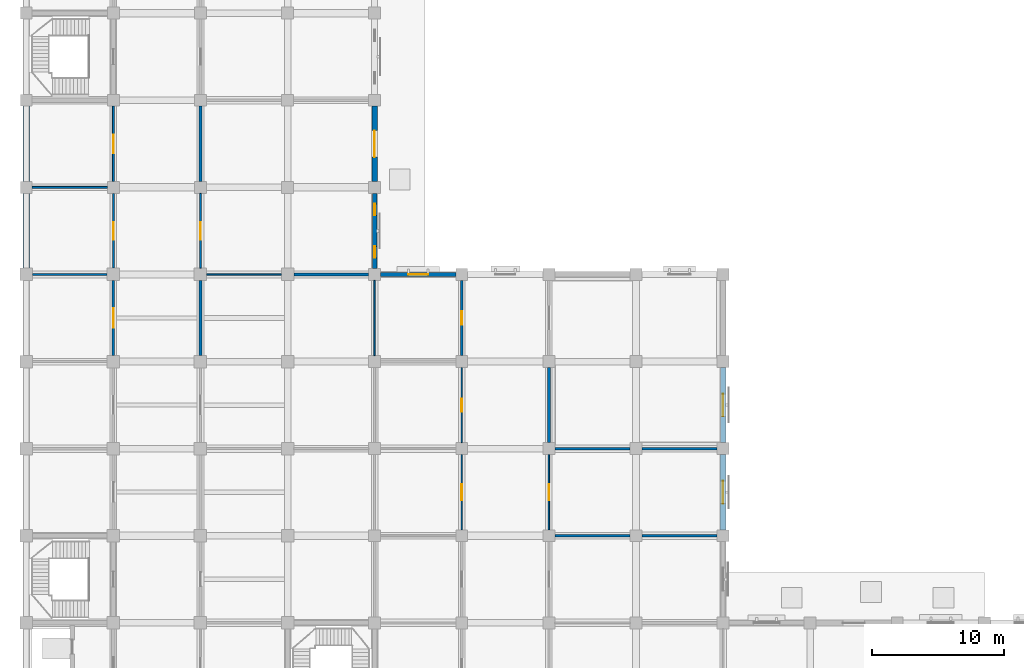
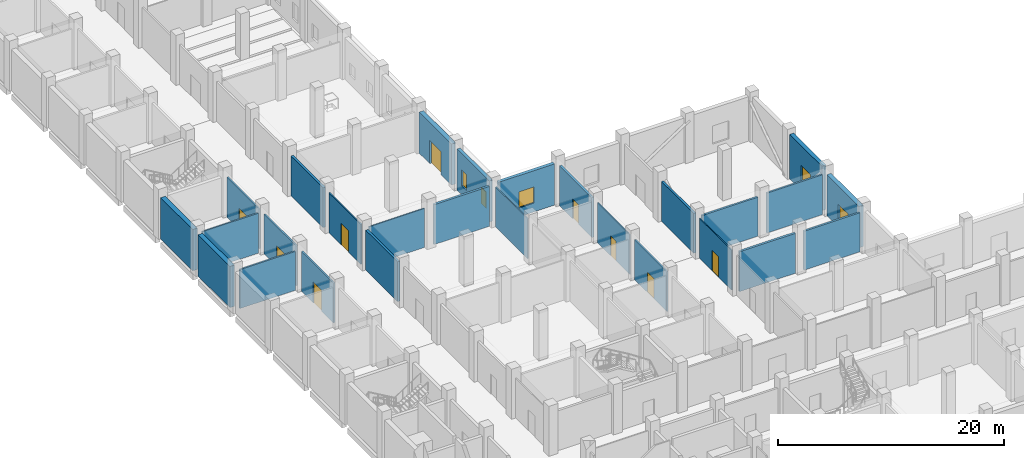
# One storey, part 11 of 28: 27 walls, 9 doors, 5 windows, 14 openings.
"""IFC4 building model written with IfcOpenShell, lengths in metres."""

from ifc_helpers import new_model, si_unit, direction, frame, frame_2d, origin, place, context, subcontext, project, spatial, rectangle, extrude, material, layer, layer_set, type_object, element, fill, save


model = new_model("IFC4")

# Units and contexts
model_context = context("Model", 3, precision=1e-05, world=origin(), true_north=direction((0.0, 1.0)))
body_context = subcontext(model_context, "Body", "Model", "MODEL_VIEW")
ifc_project = project(units=[si_unit("LENGTHUNIT", "METRE"), si_unit("AREAUNIT", "SQUARE_METRE"), si_unit("VOLUMEUNIT", "CUBIC_METRE"), si_unit("PLANEANGLEUNIT", "RADIAN"), si_unit("MASSUNIT", "GRAM", prefix="KILO")], contexts=[model_context])

# Site, building, storey
site_placement = place(None, origin())
site = spatial("IfcSite", under=ifc_project, at=site_placement, CompositionType="ELEMENT")
building_placement = place(site_placement, origin())
building = spatial("IfcBuilding", under=site, at=building_placement, Name="Rusizi Kubbe Research Institute", CompositionType="ELEMENT")
storey_placement = place(building_placement, origin())
storey = spatial("IfcBuildingStorey", under=building, at=storey_placement, Name="L00", CompositionType="ELEMENT", Elevation=0.0)

# Wall, opening, door
ifc_material_1 = material(Name="Volcanic Basalt Ashlar Masonry", Category="masonry")
ifc_layer_1 = layer(ifc_material_1, 0.43994140625)
ifc_layer_set_1 = layer_set([ifc_layer_1], Name="Volcanic Basalt Ashlar Masonry")
wall_type_1 = type_object("IfcWallType", Name="EW-01", PredefinedType="SOLIDWALL", material=ifc_layer_set_1)
wall_1_placement = place(storey_placement, frame((26.39990234375, 59.85009765625, 0.0), z_axis=(0.0, 0.0, 1.0), x_axis=(0.0, 1.0, 0.0)))
wall_1 = element("IfcWall", 1, at=wall_1_placement, inside=storey, type_object=wall_type_1, Name="Portal Vestibule Infill Wall E6", PredefinedType="SOLIDWALL", context=body_context, shape_type="SweptSolid", body=[
    extrude(rectangle(XDim=5.699951171875, YDim=0.43994140625, at=frame_2d((2.85009765625, 0.0))), origin(), (0.0, 0.0, 1.0), 4.449951171875),
])
opening_1_placement = place(wall_1_placement, frame((1.85009765625, 0.0, 0.0)))
opening_1 = element("IfcOpeningElement", 2, at=opening_1_placement, cuts=wall_1, Name="Opening D-31", PredefinedType="OPENING", context=body_context, shape_type="SweptSolid", body=[
    extrude(rectangle(XDim=2.0, YDim=2.5, at=frame_2d((1.0, 1.25))), frame((0.0, 0.22998046875, 0.0), z_axis=(0.0, -1.0, 0.0), x_axis=(1.0, 0.0, 0.0)), (0.0, 0.0, 1.0), 0.4599609375),
])
ifc_material_2 = material(Name="Insulated Steel and Laminated Safety Glass", Category="steel")
door_type_1 = type_object("IfcDoorType", Name="ED-01", OperationType="DOUBLE_DOOR_SINGLE_SWING", PredefinedType="DOOR", material=ifc_material_2)
door_1_placement = place(opening_1_placement, origin())
door_1 = element("IfcDoor", 3, at=door_1_placement, inside=storey, type_object=door_type_1, Name="Pedestrian Exit Cloister West Arcade Door D-31", OperationType="DOUBLE_DOOR_SINGLE_SWING", OverallHeight=2.5, OverallWidth=2.0, PredefinedType="DOOR", context=body_context, shape_type="SweptSolid", body=[
    extrude(rectangle(XDim=2.0, YDim=2.5, at=frame_2d((1.0, 1.25))), frame((0.0, 0.02490234375, 0.0), z_axis=(0.0, -1.0, 0.0), x_axis=(1.0, 0.0, 0.0)), (0.0, 0.0, 1.0), 0.050048828125),
])
fill(opening_1, door_1)

# Wall, opening, window
wall_2_placement = place(storey_placement, frame((52.800048828125, 33.449951171875, 0.0), z_axis=(0.0, 0.0, 1.0), x_axis=(0.0, 1.0, 0.0)))
wall_2 = element("IfcWall", 4, at=wall_2_placement, inside=storey, type_object=wall_type_1, Name="Ablaq Stone Exterior Wall L00 V8-5", PredefinedType="SOLIDWALL", context=body_context, shape_type="SweptSolid", body=[
    extrude(rectangle(XDim=5.699951171875, YDim=0.43994140625, at=frame_2d((2.85009765625, 0.0))), origin(), (0.0, 0.0, 1.0), 4.449951171875),
])
opening_2_placement = place(wall_2_placement, frame((1.989990234375, 0.0, 0.949951171875)))
opening_2 = element("IfcOpeningElement", 5, at=opening_2_placement, cuts=wall_2, Name="Opening WN-22", PredefinedType="OPENING", context=body_context, shape_type="SweptSolid", body=[
    extrude(rectangle(XDim=1.719970703125, YDim=1.52001953125, at=frame_2d((0.85986328125, 0.760009765625))), frame((0.0, 0.22998046875, 0.0), z_axis=(0.0, -1.0, 0.0), x_axis=(1.0, 0.0, 0.0)), (0.0, 0.0, 1.0), 0.4599609375),
])
ifc_material_3 = material(Name="Aluminium Frame and Solar-Control Double Glazing", Category="glass")
window_type_1 = type_object("IfcWindowType", Name="WN-22", PartitioningType="DOUBLE_PANEL_VERTICAL", PredefinedType="WINDOW", material=ifc_material_3)
window_1_placement = place(opening_2_placement, origin())
window_1 = element("IfcWindow", 6, at=window_1_placement, inside=storey, type_object=window_type_1, Name="Casement Window WN-22 L00", OverallHeight=1.52001953125, OverallWidth=1.719970703125, PartitioningType="DOUBLE_PANEL_VERTICAL", PredefinedType="WINDOW", context=body_context, shape_type="SweptSolid", body=[
    extrude(rectangle(XDim=1.719970703125, YDim=1.52001953125, at=frame_2d((0.85986328125, 0.760009765625))), frame((0.0, 0.030029296875, 0.0), z_axis=(0.0, -1.0, 0.0), x_axis=(1.0, 0.0, 0.0)), (0.0, 0.0, 1.0), 0.06005859375),
])
fill(opening_2, window_1)

ifc_material_4 = material(Name="Volcanic Basalt Ashlar Masonry", Category="masonry")
ifc_layer_2 = layer(ifc_material_4, 0.419921875)
ifc_layer_set_2 = layer_set([ifc_layer_2], Name="Volcanic Basalt Ashlar Masonry")
wall_type_2 = type_object("IfcWallType", Name="EW-02", PredefinedType="SOLIDWALL", material=ifc_layer_set_2)
wall_3_placement = place(storey_placement, frame((52.800048828125, 40.050048828125, 0.0), z_axis=(0.0, 0.0, 1.0), x_axis=(0.0, 1.0, 0.0)))
wall_3 = element("IfcWall", 7, at=wall_3_placement, inside=storey, type_object=wall_type_2, Name="Ablaq Stone Exterior Wall L00 V8-6", PredefinedType="SOLIDWALL", context=body_context, shape_type="SweptSolid", body=[
    extrude(rectangle(XDim=5.699951171875, YDim=0.419921875, at=frame_2d((2.85009765625, 0.0))), origin(), (0.0, 0.0, 1.0), 4.800048828125),
])
opening_3_placement = place(wall_3_placement, frame((1.989990234375, 0.0, 0.949951171875)))
opening_3 = element("IfcOpeningElement", 8, at=opening_3_placement, cuts=wall_3, Name="Opening WN-23", PredefinedType="OPENING", context=body_context, shape_type="SweptSolid", body=[
    extrude(rectangle(XDim=1.719970703125, YDim=1.739990234375, at=frame_2d((0.85986328125, 0.8701171875))), frame((0.0, 0.219970703125, 0.0), z_axis=(0.0, -1.0, 0.0), x_axis=(1.0, 0.0, 0.0)), (0.0, 0.0, 1.0), 0.43994140625),
])
ifc_material_5 = material(Name="Aluminium Frame and Solar-Control Double Glazing", Category="glass")
window_type_2 = type_object("IfcWindowType", Name="WN-23", PartitioningType="DOUBLE_PANEL_VERTICAL", PredefinedType="WINDOW", material=ifc_material_5)
window_2_placement = place(opening_3_placement, origin())
window_2 = element("IfcWindow", 9, at=window_2_placement, inside=storey, type_object=window_type_2, Name="Casement Window WN-23 L00", OverallHeight=1.739990234375, OverallWidth=1.719970703125, PartitioningType="DOUBLE_PANEL_VERTICAL", PredefinedType="WINDOW", context=body_context, shape_type="SweptSolid", body=[
    extrude(rectangle(XDim=1.719970703125, YDim=1.739990234375, at=frame_2d((0.85986328125, 0.8701171875))), frame((0.0, 0.030029296875, 0.0), z_axis=(0.0, -1.0, 0.0), x_axis=(1.0, 0.0, 0.0)), (0.0, 0.0, 1.0), 0.06005859375),
])
fill(opening_3, window_2)

# Wall, openings, windows
ifc_material_6 = material(Name="Volcanic Basalt Ashlar Masonry", Category="masonry")
ifc_layer_3 = layer(ifc_material_6, 0.324951171875)
ifc_layer_set_3 = layer_set([ifc_layer_3], Name="Volcanic Basalt Ashlar Masonry")
wall_type_3 = type_object("IfcWallType", Name="EW-08", PredefinedType="SOLIDWALL", material=ifc_layer_set_3)
wall_4_placement = place(storey_placement, frame((26.39990234375, 53.25, 0.0), z_axis=(0.0, 0.0, 1.0), x_axis=(0.0, 1.0, 0.0)))
wall_4 = element("IfcWall", 10, at=wall_4_placement, inside=storey, type_object=wall_type_3, Name="Ablaq Stone Exterior Wall L00 V4-8", PredefinedType="SOLIDWALL", context=body_context, shape_type="SweptSolid", body=[
    extrude(rectangle(XDim=5.699951171875, YDim=0.324951171875, at=frame_2d((2.85009765625, 0.0))), origin(), (0.0, 0.0, 1.0), 4.449951171875),
])
opening_4_placement = place(wall_4_placement, frame((0.800048828125, 0.0, 0.949951171875)))
opening_4 = element("IfcOpeningElement", 11, at=opening_4_placement, cuts=wall_4, Name="Opening WN-03", PredefinedType="OPENING", context=body_context, shape_type="SweptSolid", body=[
    extrude(rectangle(XDim=0.8798828125, YDim=1.739990234375, at=frame_2d((0.43994140625, 0.8701171875))), frame((0.0, 0.17236328125, 0.0), z_axis=(0.0, -1.0, 0.0), x_axis=(1.0, 0.0, 0.0)), (0.0, 0.0, 1.0), 0.344970703125),
])
opening_5_placement = place(wall_4_placement, frame((4.02001953125, 0.0, 0.949951171875)))
opening_5 = element("IfcOpeningElement", 12, at=opening_5_placement, cuts=wall_4, Name="Opening WN-03", PredefinedType="OPENING", context=body_context, shape_type="SweptSolid", body=[
    extrude(rectangle(XDim=0.8798828125, YDim=1.739990234375, at=frame_2d((0.43994140625, 0.8701171875))), frame((0.0, 0.17236328125, 0.0), z_axis=(0.0, -1.0, 0.0), x_axis=(1.0, 0.0, 0.0)), (0.0, 0.0, 1.0), 0.344970703125),
])
ifc_material_7 = material(Name="Aluminium Frame and Solar-Control Double Glazing", Category="glass")
window_type_3 = type_object("IfcWindowType", Name="WN-03", PartitioningType="SINGLE_PANEL", PredefinedType="WINDOW", material=ifc_material_7)
window_3_placement = place(opening_4_placement, origin())
window_3 = element("IfcWindow", 13, at=window_3_placement, inside=storey, type_object=window_type_3, Name="Casement Window WN-03 L00", OverallHeight=1.739990234375, OverallWidth=0.8798828125, PartitioningType="SINGLE_PANEL", PredefinedType="WINDOW", context=body_context, shape_type="SweptSolid", body=[
    extrude(rectangle(XDim=0.8798828125, YDim=1.739990234375, at=frame_2d((0.43994140625, 0.8701171875))), frame((0.0, 0.030029296875, 0.0), z_axis=(0.0, -1.0, 0.0), x_axis=(1.0, 0.0, 0.0)), (0.0, 0.0, 1.0), 0.06005859375),
])
fill(opening_4, window_3)
window_4_placement = place(opening_5_placement, origin())
window_4 = element("IfcWindow", 14, at=window_4_placement, inside=storey, type_object=window_type_3, Name="Casement Window WN-03 L00", OverallHeight=1.739990234375, OverallWidth=0.8798828125, PartitioningType="SINGLE_PANEL", PredefinedType="WINDOW", context=body_context, shape_type="SweptSolid", body=[
    extrude(rectangle(XDim=0.8798828125, YDim=1.739990234375, at=frame_2d((0.43994140625, 0.8701171875))), frame((0.0, 0.030029296875, 0.0), z_axis=(0.0, -1.0, 0.0), x_axis=(1.0, 0.0, 0.0)), (0.0, 0.0, 1.0), 0.06005859375),
])
fill(opening_5, window_4)

# Wall, opening, window
wall_5_placement = place(storey_placement, frame((26.85009765625, 52.800048828125, 0.0), z_axis=(0.0, 0.0, 1.0), x_axis=(1.0, 0.0, 0.0)))
wall_5 = element("IfcWall", 15, at=wall_5_placement, inside=storey, type_object=wall_type_3, Name="Ablaq Stone Exterior Wall L00 H4-8", PredefinedType="SOLIDWALL", context=body_context, shape_type="SweptSolid", body=[
    extrude(rectangle(XDim=5.699951171875, YDim=0.324951171875, at=frame_2d((2.85009765625, 0.0))), origin(), (0.0, 0.0, 1.0), 4.449951171875),
])
opening_6_placement = place(wall_5_placement, frame((2.090087890625, 0.0, 0.949951171875)))
opening_6 = element("IfcOpeningElement", 16, at=opening_6_placement, cuts=wall_5, Name="Opening WN-19", PredefinedType="OPENING", context=body_context, shape_type="SweptSolid", body=[
    extrude(rectangle(XDim=1.52001953125, YDim=1.739990234375, at=frame_2d((0.760009765625, 0.8701171875))), frame((0.0, 0.17236328125, 0.0), z_axis=(0.0, -1.0, 0.0), x_axis=(1.0, 0.0, 0.0)), (0.0, 0.0, 1.0), 0.344970703125),
])
ifc_material_8 = material(Name="Aluminium Frame and Solar-Control Double Glazing", Category="glass")
window_type_4 = type_object("IfcWindowType", Name="WN-19", PartitioningType="DOUBLE_PANEL_VERTICAL", PredefinedType="WINDOW", material=ifc_material_8)
window_5_placement = place(opening_6_placement, origin())
window_5 = element("IfcWindow", 17, at=window_5_placement, inside=storey, type_object=window_type_4, Name="Casement Window WN-19 L00", OverallHeight=1.739990234375, OverallWidth=1.52001953125, PartitioningType="DOUBLE_PANEL_VERTICAL", PredefinedType="WINDOW", context=body_context, shape_type="SweptSolid", body=[
    extrude(rectangle(XDim=1.52001953125, YDim=1.739990234375, at=frame_2d((0.760009765625, 0.8701171875))), frame((0.0, 0.030029296875, 0.0), z_axis=(0.0, -1.0, 0.0), x_axis=(1.0, 0.0, 0.0)), (0.0, 0.0, 1.0), 0.06005859375),
])
fill(opening_6, window_5)

# Wall
ifc_material_9 = material(Name="Concrete Blockwork Fire Partition", Category="masonry")
ifc_layer_4 = layer(ifc_material_9, 0.22509765625)
ifc_layer_set_4 = layer_set([ifc_layer_4], Name="Concrete Blockwork Fire Partition")
wall_type_4 = type_object("IfcWallType", Name="IW-01", PredefinedType="PARTITIONING", material=ifc_layer_set_4)
wall_6_placement = place(storey_placement, frame((20.27490234375, 52.800048828125, 0.0), z_axis=(0.0, 0.0, 1.0), x_axis=(1.0, 0.0, 0.0)))
element("IfcWall", 18, at=wall_6_placement, inside=storey, type_object=wall_type_4, Name="Interior Partition Wall L00 H3-8", PredefinedType="PARTITIONING", context=body_context, shape_type="SweptSolid", body=[
    extrude(rectangle(XDim=5.675048828125, YDim=0.22509765625, at=frame_2d((2.83740234375, 0.0))), origin(), (0.0, 0.0, 1.0), 4.300048828125),
])

# Wall, opening, door
wall_7_placement = place(storey_placement, frame((33.0, 46.64990234375, 0.0), z_axis=(0.0, 0.0, 1.0), x_axis=(0.0, 1.0, 0.0)))
wall_7 = element("IfcWall", 19, at=wall_7_placement, inside=storey, type_object=wall_type_4, Name="Interior Partition Wall L00 V5-7", PredefinedType="PARTITIONING", context=body_context, shape_type="SweptSolid", body=[
    extrude(rectangle(XDim=5.7001953125, YDim=0.22509765625, at=frame_2d((2.85009765625, 0.0))), origin(), (0.0, 0.0, 1.0), 4.300048828125),
])
opening_7_placement = place(wall_7_placement, frame((2.324951171875, 0.0, 0.0)))
opening_7 = element("IfcOpeningElement", 20, at=opening_7_placement, cuts=wall_7, Name="Opening D-16", PredefinedType="OPENING", context=body_context, shape_type="SweptSolid", body=[
    extrude(rectangle(XDim=1.050048828125, YDim=2.14990234375, at=frame_2d((0.52490234375, 1.074951171875))), frame((0.0, 0.12255859375, 0.0), z_axis=(0.0, -1.0, 0.0), x_axis=(1.0, 0.0, 0.0)), (0.0, 0.0, 1.0), 0.2451171875),
])
ifc_material_10 = material(Name="Fire-Rated Steel Frame and Acoustic Timber Leaf", Category="wood")
door_type_2 = type_object("IfcDoorType", Name="ID-OFF-105", OperationType="NOTDEFINED", PredefinedType="DOOR", material=ifc_material_10)
door_2_placement = place(opening_7_placement, origin())
door_2 = element("IfcDoor", 21, at=door_2_placement, inside=storey, type_object=door_type_2, Name="Door to Write-up Office (L00-ELBW-07)", OperationType="SINGLE_SWING_LEFT", OverallHeight=2.14990234375, OverallWidth=1.050048828125, PredefinedType="DOOR", context=body_context, shape_type="SweptSolid", body=[
    extrude(rectangle(XDim=1.050048828125, YDim=2.14990234375, at=frame_2d((0.52490234375, 1.074951171875))), frame((0.0, 0.02490234375, 0.0), z_axis=(0.0, -1.0, 0.0), x_axis=(1.0, 0.0, 0.0)), (0.0, 0.0, 1.0), 0.050048828125),
])
fill(opening_7, door_2)

# Walls
for number, where, z_axis, x_axis, name in (
    (22, (39.60009765625, 40.050048828125, 0.0), (0.0, 0.0, 1.0), (0.0, 1.0, 0.0), "Interior Partition Wall L00 V6-6"),
    (23, (40.050048828125, 33.0, 0.0), (0.0, 0.0, 1.0), (1.0, 0.0, 0.0), "Interior Partition Wall L00 H6-5"),
):
    element("IfcWall", number, at=place(storey_placement, frame(where, z_axis=z_axis, x_axis=x_axis)), inside=storey, type_object=wall_type_4, Name=name, PredefinedType="PARTITIONING", context=body_context, shape_type="SweptSolid", body=[
        extrude(rectangle(XDim=5.699951171875, YDim=0.22509765625, at=frame_2d((2.85009765625, 0.0))), origin(), (0.0, 0.0, 1.0), 4.300048828125),
    ])
ifc_material_11 = material(Name="Insulated Cleanroom Partition", Category="masonry")
ifc_layer_5 = layer(ifc_material_11, 0.195068359375)
ifc_layer_set_5 = layer_set([ifc_layer_5], Name="Insulated Cleanroom Partition")
wall_type_5 = type_object("IfcWallType", Name="IW-02", PredefinedType="PARTITIONING", material=ifc_layer_set_5)
wall_8_placement = place(storey_placement, frame((40.050048828125, 39.60009765625, 0.0), z_axis=(0.0, 0.0, 1.0), x_axis=(1.0, 0.0, 0.0)))
element("IfcWall", 24, at=wall_8_placement, inside=storey, type_object=wall_type_5, Name="Interior Partition Wall L00 H6-6", PredefinedType="PARTITIONING", context=body_context, shape_type="SweptSolid", body=[
    extrude(rectangle(XDim=5.699951171875, YDim=0.195068359375, at=frame_2d((2.85009765625, 0.0))), origin(), (0.0, 0.0, 1.0), 4.199951171875),
])
wall_9_placement = place(storey_placement, frame((46.64990234375, 33.0, 0.0), z_axis=(0.0, 0.0, 1.0), x_axis=(1.0, 0.0, 0.0)))
element("IfcWall", 25, at=wall_9_placement, inside=storey, type_object=wall_type_5, Name="Interior Partition Wall L00 H7-5", PredefinedType="PARTITIONING", context=body_context, shape_type="SweptSolid", body=[
    extrude(rectangle(XDim=5.7001953125, YDim=0.195068359375, at=frame_2d((2.85009765625, 0.0))), origin(), (0.0, 0.0, 1.0), 4.199951171875),
])

# Wall, opening, door
ifc_material_12 = material(Name="Acoustic Laboratory Partition", Category="masonry")
ifc_layer_6 = layer(ifc_material_12, 0.175048828125)
ifc_layer_set_6 = layer_set([ifc_layer_6], Name="Acoustic Laboratory Partition")
wall_type_6 = type_object("IfcWallType", Name="IW-03", PredefinedType="PARTITIONING", material=ifc_layer_set_6)
wall_10_placement = place(storey_placement, frame((6.60009765625, 46.675048828125, 0.0), z_axis=(0.0, 0.0, 1.0), x_axis=(0.0, 1.0, 0.0)))
wall_10 = element("IfcWall", 26, at=wall_10_placement, inside=storey, type_object=wall_type_6, Name="Interior Partition Wall L00 V1-7", PredefinedType="PARTITIONING", context=body_context, shape_type="SweptSolid", body=[
    extrude(rectangle(XDim=5.64990234375, YDim=0.175048828125, at=frame_2d((2.824951171875, 0.0))), origin(), (0.0, 0.0, 1.0), 4.300048828125),
])
opening_8_placement = place(wall_10_placement, frame((2.0849609375, 0.0, 0.0)))
opening_8 = element("IfcOpeningElement", 27, at=opening_8_placement, cuts=wall_10, Name="Opening LD-08", PredefinedType="OPENING", context=body_context, shape_type="SweptSolid", body=[
    extrude(rectangle(XDim=1.47998046875, YDim=2.25, at=frame_2d((0.739990234375, 1.125))), frame((0.0, 0.097412109375, 0.0), z_axis=(0.0, -1.0, 0.0), x_axis=(1.0, 0.0, 0.0)), (0.0, 0.0, 1.0), 0.195068359375),
])
ifc_material_13 = material(Name="Brushed Stainless Steel Sliding Door", Category="steel")
door_type_3 = type_object("IfcDoorType", Name="LD-08", OperationType="DOUBLE_DOOR_SLIDING", PredefinedType="USERDEFINED", material=ifc_material_13)
door_3_placement = place(opening_8_placement, origin())
door_3 = element("IfcDoor", 28, at=door_3_placement, inside=storey, type_object=door_type_3, Name="Door to Clean Room Gowning Airlock (L00-ALK-07)", ObjectType="SLIDING DOOR", OperationType="DOUBLE_DOOR_SLIDING", OverallHeight=2.25, OverallWidth=1.47998046875, PredefinedType="USERDEFINED", context=body_context, shape_type="SweptSolid", body=[
    extrude(rectangle(XDim=1.47998046875, YDim=2.25, at=frame_2d((0.739990234375, 1.125))), frame((0.0, 0.02490234375, 0.0), z_axis=(0.0, -1.0, 0.0), x_axis=(1.0, 0.0, 0.0)), (0.0, 0.0, 1.0), 0.050048828125),
])
fill(opening_8, door_3)

# Walls
wall_11_placement = place(storey_placement, frame((46.64990234375, 39.60009765625, 0.0), z_axis=(0.0, 0.0, 1.0), x_axis=(1.0, 0.0, 0.0)))
element("IfcWall", 29, at=wall_11_placement, inside=storey, type_object=wall_type_6, Name="Interior Partition Wall L00 H7-6", PredefinedType="PARTITIONING", context=body_context, shape_type="SweptSolid", body=[
    extrude(rectangle(XDim=5.7001953125, YDim=0.175048828125, at=frame_2d((2.85009765625, 0.0))), origin(), (0.0, 0.0, 1.0), 4.300048828125),
])
ifc_material_14 = material(Name="Fire-Rated Corridor Partition", Category="masonry")
ifc_layer_7 = layer(ifc_material_14, 0.155029296875)
ifc_layer_set_7 = layer_set([ifc_layer_7], Name="Fire-Rated Corridor Partition")
wall_type_7 = type_object("IfcWallType", Name="IW-04", PredefinedType="PARTITIONING", material=ifc_layer_set_7)
wall_12_placement = place(storey_placement, frame((0.47509765625, 52.800048828125, 0.0), z_axis=(0.0, 0.0, 1.0), x_axis=(1.0, 0.0, 0.0)))
element("IfcWall", 30, at=wall_12_placement, inside=storey, type_object=wall_type_7, Name="Interior Partition Wall L00 H0-8", PredefinedType="PARTITIONING", context=body_context, shape_type="SweptSolid", body=[
    extrude(rectangle(XDim=5.64990234375, YDim=0.155029296875, at=frame_2d((2.824951171875, 0.0))), origin(), (0.0, 0.0, 1.0), 4.199951171875),
])

# Wall, opening, door
wall_13_placement = place(storey_placement, frame((6.60009765625, 53.27490234375, 0.0), z_axis=(0.0, 0.0, 1.0), x_axis=(0.0, 1.0, 0.0)))
wall_13 = element("IfcWall", 31, at=wall_13_placement, inside=storey, type_object=wall_type_7, Name="Interior Partition Wall L00 V1-8", PredefinedType="PARTITIONING", context=body_context, shape_type="SweptSolid", body=[
    extrude(rectangle(XDim=5.675048828125, YDim=0.155029296875, at=frame_2d((2.83740234375, 0.0))), origin(), (0.0, 0.0, 1.0), 4.300048828125),
])
opening_9_placement = place(wall_13_placement, frame((2.1650390625, 0.0, 0.0)))
opening_9 = element("IfcOpeningElement", 32, at=opening_9_placement, cuts=wall_13, Name="Opening LD-07", PredefinedType="OPENING", context=body_context, shape_type="SweptSolid", body=[
    extrude(rectangle(XDim=1.320068359375, YDim=2.199951171875, at=frame_2d((0.66015625, 1.10009765625))), frame((0.0, 0.08740234375, 0.0), z_axis=(0.0, -1.0, 0.0), x_axis=(1.0, 0.0, 0.0)), (0.0, 0.0, 1.0), 0.175048828125),
])
ifc_material_15 = material(Name="Brushed Stainless Steel Sliding Door", Category="steel")
door_type_4 = type_object("IfcDoorType", Name="LD-07", OperationType="DOUBLE_DOOR_SLIDING", PredefinedType="USERDEFINED", material=ifc_material_15)
door_4_placement = place(opening_9_placement, origin())
door_4 = element("IfcDoor", 33, at=door_4_placement, inside=storey, type_object=door_type_4, Name="Door to ISO-6 Clean Room Suite (L00-CR-08)", ObjectType="SLIDING DOOR", OperationType="DOUBLE_DOOR_SLIDING", OverallHeight=2.199951171875, OverallWidth=1.320068359375, PredefinedType="USERDEFINED", context=body_context, shape_type="SweptSolid", body=[
    extrude(rectangle(XDim=1.320068359375, YDim=2.199951171875, at=frame_2d((0.66015625, 1.10009765625))), frame((0.0, 0.02490234375, 0.0), z_axis=(0.0, -1.0, 0.0), x_axis=(1.0, 0.0, 0.0)), (0.0, 0.0, 1.0), 0.050048828125),
])
fill(opening_9, door_4)

# Wall
ifc_material_16 = material(Name="Write-up Glazed Acoustic Partition", Category="masonry")
ifc_layer_8 = layer(ifc_material_16, 0.139892578125)
ifc_layer_set_8 = layer_set([ifc_layer_8], Name="Write-up Glazed Acoustic Partition")
wall_type_8 = type_object("IfcWallType", Name="IW-05", PredefinedType="PARTITIONING", material=ifc_layer_set_8)
wall_14_placement = place(storey_placement, frame((0.449951171875, 59.39990234375, 0.0), z_axis=(0.0, 0.0, 1.0), x_axis=(1.0, 0.0, 0.0)))
element("IfcWall", 34, at=wall_14_placement, inside=storey, type_object=wall_type_8, Name="Interior Partition Wall L00 H0-9", PredefinedType="PARTITIONING", context=body_context, shape_type="SweptSolid", body=[
    extrude(rectangle(XDim=5.699951171875, YDim=0.139892578125, at=frame_2d((2.85009765625, 0.0))), origin(), (0.0, 0.0, 1.0), 4.300048828125),
])

# Wall, opening, door
wall_15_placement = place(storey_placement, frame((6.60009765625, 59.85009765625, 0.0), z_axis=(0.0, 0.0, 1.0), x_axis=(0.0, 1.0, 0.0)))
wall_15 = element("IfcWall", 35, at=wall_15_placement, inside=storey, type_object=wall_type_8, Name="Interior Partition Wall L00 V1-9", PredefinedType="PARTITIONING", context=body_context, shape_type="SweptSolid", body=[
    extrude(rectangle(XDim=5.699951171875, YDim=0.139892578125, at=frame_2d((2.85009765625, 0.0))), origin(), (0.0, 0.0, 1.0), 4.300048828125),
])
opening_10_placement = place(wall_15_placement, frame((2.14990234375, 0.0, 0.0)))
opening_10 = element("IfcOpeningElement", 36, at=opening_10_placement, cuts=wall_15, Name="Opening D-12", PredefinedType="OPENING", context=body_context, shape_type="SweptSolid", body=[
    extrude(rectangle(XDim=1.39990234375, YDim=2.25, at=frame_2d((0.699951171875, 1.125))), frame((0.0, 0.079833984375, 0.0), z_axis=(0.0, -1.0, 0.0), x_axis=(1.0, 0.0, 0.0)), (0.0, 0.0, 1.0), 0.159912109375),
])
ifc_material_17 = material(Name="Fire-Rated Steel Frame and Acoustic Timber Leaf", Category="wood")
door_type_5 = type_object("IfcDoorType", Name="ID-LAB-140", OperationType="NOTDEFINED", PredefinedType="DOOR", material=ifc_material_17)
door_5_placement = place(opening_10_placement, origin())
door_5 = element("IfcDoor", 37, at=door_5_placement, inside=storey, type_object=door_type_5, Name="Door to Clean Room Metrology Laboratory (L00-WSP-09)", OperationType="SINGLE_SWING_RIGHT", OverallHeight=2.25, OverallWidth=1.39990234375, PredefinedType="DOOR", context=body_context, shape_type="SweptSolid", body=[
    extrude(rectangle(XDim=1.39990234375, YDim=2.25, at=frame_2d((0.699951171875, 1.125))), frame((0.0, 0.02490234375, 0.0), z_axis=(0.0, -1.0, 0.0), x_axis=(1.0, 0.0, 0.0)), (0.0, 0.0, 1.0), 0.050048828125),
])
fill(opening_10, door_5)

wall_16_placement = place(storey_placement, frame((13.199951171875, 53.27490234375, 0.0), z_axis=(0.0, 0.0, 1.0), x_axis=(0.0, 1.0, 0.0)))
wall_16 = element("IfcWall", 38, at=wall_16_placement, inside=storey, type_object=wall_type_8, Name="Interior Partition Wall L00 V2-8", PredefinedType="PARTITIONING", context=body_context, shape_type="SweptSolid", body=[
    extrude(rectangle(XDim=5.675048828125, YDim=0.139892578125, at=frame_2d((2.83740234375, 0.0))), origin(), (0.0, 0.0, 1.0), 4.300048828125),
])
opening_11_placement = place(wall_16_placement, frame((2.14990234375, 0.0, 0.0)))
opening_11 = element("IfcOpeningElement", 39, at=opening_11_placement, cuts=wall_16, Name="Opening D-13", PredefinedType="OPENING", context=body_context, shape_type="SweptSolid", body=[
    extrude(rectangle(XDim=1.35009765625, YDim=2.300048828125, at=frame_2d((0.675048828125, 1.14990234375))), frame((0.0, 0.079833984375, 0.0), z_axis=(0.0, -1.0, 0.0), x_axis=(1.0, 0.0, 0.0)), (0.0, 0.0, 1.0), 0.159912109375),
])
ifc_material_18 = material(Name="Fire-Rated Steel Frame and Acoustic Timber Leaf", Category="wood")
door_type_6 = type_object("IfcDoorType", Name="ID-LAB-135", OperationType="NOTDEFINED", PredefinedType="DOOR", material=ifc_material_18)
door_6_placement = place(opening_11_placement, origin())
door_6 = element("IfcDoor", 40, at=door_6_placement, inside=storey, type_object=door_type_6, Name="Door to Computational Dry Laboratory (L00-NW-04)", OperationType="SINGLE_SWING_LEFT", OverallHeight=2.300048828125, OverallWidth=1.35009765625, PredefinedType="DOOR", context=body_context, shape_type="SweptSolid", body=[
    extrude(rectangle(XDim=1.35009765625, YDim=2.300048828125, at=frame_2d((0.675048828125, 1.14990234375))), frame((0.0, 0.02490234375, 0.0), z_axis=(0.0, -1.0, 0.0), x_axis=(1.0, 0.0, 0.0)), (0.0, 0.0, 1.0), 0.050048828125),
])
fill(opening_11, door_6)

wall_17_placement = place(storey_placement, frame((33.0, 33.449951171875, 0.0), z_axis=(0.0, 0.0, 1.0), x_axis=(0.0, 1.0, 0.0)))
wall_17 = element("IfcWall", 41, at=wall_17_placement, inside=storey, type_object=wall_type_8, Name="Interior Partition Wall L00 V5-5", PredefinedType="PARTITIONING", context=body_context, shape_type="SweptSolid", body=[
    extrude(rectangle(XDim=5.699951171875, YDim=0.139892578125, at=frame_2d((2.85009765625, 0.0))), origin(), (0.0, 0.0, 1.0), 4.300048828125),
])
opening_12_placement = place(wall_17_placement, frame((2.260009765625, 0.0, 0.0)))
opening_12 = element("IfcOpeningElement", 42, at=opening_12_placement, cuts=wall_17, Name="Opening D-19", PredefinedType="OPENING", context=body_context, shape_type="SweptSolid", body=[
    extrude(rectangle(XDim=1.179931640625, YDim=2.199951171875, at=frame_2d((0.58984375, 1.10009765625))), frame((0.0, 0.079833984375, 0.0), z_axis=(0.0, -1.0, 0.0), x_axis=(1.0, 0.0, 0.0)), (0.0, 0.0, 1.0), 0.159912109375),
])
ifc_material_19 = material(Name="Fire-Rated Steel Frame and Acoustic Timber Leaf", Category="wood")
door_type_7 = type_object("IfcDoorType", Name="ID-OFF-118", OperationType="NOTDEFINED", PredefinedType="DOOR", material=ifc_material_19)
door_7_placement = place(opening_12_placement, origin())
door_7 = element("IfcDoor", 43, at=door_7_placement, inside=storey, type_object=door_type_7, Name="Door to Write-up Office (L00-ELBW-05)", OperationType="SINGLE_SWING_RIGHT", OverallHeight=2.199951171875, OverallWidth=1.179931640625, PredefinedType="DOOR", context=body_context, shape_type="SweptSolid", body=[
    extrude(rectangle(XDim=1.179931640625, YDim=2.199951171875, at=frame_2d((0.58984375, 1.10009765625))), frame((0.0, 0.02490234375, 0.0), z_axis=(0.0, -1.0, 0.0), x_axis=(1.0, 0.0, 0.0)), (0.0, 0.0, 1.0), 0.050048828125),
])
fill(opening_12, door_7)

# Walls
ifc_material_20 = material(Name="Sub-Suite Fire Partition", Category="masonry")
ifc_layer_9 = layer(ifc_material_20, 0.110107421875)
ifc_layer_set_9 = layer_set([ifc_layer_9], Name="Sub-Suite Fire Partition")
wall_type_9 = type_object("IfcWallType", Name="IW-07", PredefinedType="PARTITIONING", material=ifc_layer_set_9)
wall_18_placement = place(storey_placement, frame((13.675048828125, 52.800048828125, 0.0), z_axis=(0.0, 0.0, 1.0), x_axis=(1.0, 0.0, 0.0)))
element("IfcWall", 44, at=wall_18_placement, inside=storey, type_object=wall_type_9, Name="Interior Partition Wall L00 H2-8", PredefinedType="PARTITIONING", context=body_context, shape_type="SweptSolid", body=[
    extrude(rectangle(XDim=5.64990234375, YDim=0.110107421875, at=frame_2d((2.824951171875, 0.0))), origin(), (0.0, 0.0, 1.0), 4.199951171875),
])
wall_19_placement = place(storey_placement, frame((26.39990234375, 46.64990234375, 0.0), z_axis=(0.0, 0.0, 1.0), x_axis=(0.0, 1.0, 0.0)))
element("IfcWall", 45, at=wall_19_placement, inside=storey, type_object=wall_type_9, Name="Interior Partition Wall L00 V4-7", PredefinedType="PARTITIONING", context=body_context, shape_type="SweptSolid", body=[
    extrude(rectangle(XDim=5.7001953125, YDim=0.110107421875, at=frame_2d((2.85009765625, 0.0))), origin(), (0.0, 0.0, 1.0), 4.300048828125),
])

# Wall, opening, door
wall_20_placement = place(storey_placement, frame((33.0, 40.050048828125, 0.0), z_axis=(0.0, 0.0, 1.0), x_axis=(0.0, 1.0, 0.0)))
wall_20 = element("IfcWall", 46, at=wall_20_placement, inside=storey, type_object=wall_type_9, Name="Interior Partition Wall L00 V5-6", PredefinedType="PARTITIONING", context=body_context, shape_type="SweptSolid", body=[
    extrude(rectangle(XDim=5.699951171875, YDim=0.110107421875, at=frame_2d((2.85009765625, 0.0))), origin(), (0.0, 0.0, 1.0), 4.300048828125),
])
opening_13_placement = place(wall_20_placement, frame((2.360107421875, 0.0, 0.0)))
opening_13 = element("IfcOpeningElement", 47, at=opening_13_placement, cuts=wall_20, Name="Opening D-20", PredefinedType="OPENING", context=body_context, shape_type="SweptSolid", body=[
    extrude(rectangle(XDim=0.97998046875, YDim=2.14990234375, at=frame_2d((0.489990234375, 1.074951171875))), frame((0.0, 0.06494140625, 0.0), z_axis=(0.0, -1.0, 0.0), x_axis=(1.0, 0.0, 0.0)), (0.0, 0.0, 1.0), 0.130126953125),
])
ifc_material_21 = material(Name="Fire-Rated Steel Frame and Acoustic Timber Leaf", Category="wood")
door_type_8 = type_object("IfcDoorType", Name="ID-OFF-980", OperationType="NOTDEFINED", PredefinedType="DOOR", material=ifc_material_21)
door_8_placement = place(opening_13_placement, origin())
door_8 = element("IfcDoor", 48, at=door_8_placement, inside=storey, type_object=door_type_8, Name="Door to Write-up Office (L00-ELBW-06)", OperationType="SINGLE_SWING_LEFT", OverallHeight=2.14990234375, OverallWidth=0.97998046875, PredefinedType="DOOR", context=body_context, shape_type="SweptSolid", body=[
    extrude(rectangle(XDim=0.97998046875, YDim=2.14990234375, at=frame_2d((0.489990234375, 1.074951171875))), frame((0.0, 0.02490234375, 0.0), z_axis=(0.0, -1.0, 0.0), x_axis=(1.0, 0.0, 0.0)), (0.0, 0.0, 1.0), 0.050048828125),
])
fill(opening_13, door_8)

wall_21_placement = place(storey_placement, frame((39.60009765625, 33.449951171875, 0.0), z_axis=(0.0, 0.0, 1.0), x_axis=(0.0, 1.0, 0.0)))
wall_21 = element("IfcWall", 49, at=wall_21_placement, inside=storey, type_object=wall_type_9, Name="Interior Partition Wall L00 V6-5", PredefinedType="PARTITIONING", context=body_context, shape_type="SweptSolid", body=[
    extrude(rectangle(XDim=5.699951171875, YDim=0.110107421875, at=frame_2d((2.85009765625, 0.0))), origin(), (0.0, 0.0, 1.0), 4.300048828125),
])
opening_14_placement = place(wall_21_placement, frame((2.260009765625, 0.0, 0.0)))
opening_14 = element("IfcOpeningElement", 50, at=opening_14_placement, cuts=wall_21, Name="Opening D-19", PredefinedType="OPENING", context=body_context, shape_type="SweptSolid", body=[
    extrude(rectangle(XDim=1.179931640625, YDim=2.199951171875, at=frame_2d((0.58984375, 1.10009765625))), frame((0.0, 0.06494140625, 0.0), z_axis=(0.0, -1.0, 0.0), x_axis=(1.0, 0.0, 0.0)), (0.0, 0.0, 1.0), 0.130126953125),
])
door_9_placement = place(opening_14_placement, origin())
door_9 = element("IfcDoor", 51, at=door_9_placement, inside=storey, type_object=door_type_7, Name="Door to Write-up Office (L00-ELBE-05)", OperationType="SINGLE_SWING_RIGHT", OverallHeight=2.199951171875, OverallWidth=1.179931640625, PredefinedType="DOOR", context=body_context, shape_type="SweptSolid", body=[
    extrude(rectangle(XDim=1.179931640625, YDim=2.199951171875, at=frame_2d((0.58984375, 1.10009765625))), frame((0.0, 0.02490234375, 0.0), z_axis=(0.0, -1.0, 0.0), x_axis=(1.0, 0.0, 0.0)), (0.0, 0.0, 1.0), 0.050048828125),
])
fill(opening_14, door_9)

# Walls
ifc_material_22 = material(Name="Concrete C40/50", Category="concrete")
ifc_layer_10 = layer(ifc_material_22, 0.47998046875)
ifc_layer_set_10 = layer_set([ifc_layer_10], Name="Concrete C40/50")
wall_type_10 = type_object("IfcWallType", Name="PW-01", PredefinedType="SOLIDWALL", material=ifc_layer_set_10)
wall_22_placement = place(storey_placement, frame((0.0, 53.27490234375, 0.0), z_axis=(0.0, 0.0, 1.0), x_axis=(0.0, 1.0, 0.0)))
element("IfcWall", 52, at=wall_22_placement, inside=storey, type_object=wall_type_10, Name="Blind Party Wall L00 V0-8", PredefinedType="SOLIDWALL", context=body_context, shape_type="SweptSolid", body=[
    extrude(rectangle(XDim=5.675048828125, YDim=0.47998046875, at=frame_2d((2.83740234375, 0.0))), origin(), (0.0, 0.0, 1.0), 4.449951171875),
])
wall_23_placement = place(storey_placement, frame((0.0, 59.85009765625, 0.0), z_axis=(0.0, 0.0, 1.0), x_axis=(0.0, 1.0, 0.0)))
element("IfcWall", 53, at=wall_23_placement, inside=storey, type_object=wall_type_10, Name="Blind Party Wall L00 V0-9", PredefinedType="SOLIDWALL", context=body_context, shape_type="SweptSolid", body=[
    extrude(rectangle(XDim=5.699951171875, YDim=0.47998046875, at=frame_2d((2.85009765625, 0.0))), origin(), (0.0, 0.0, 1.0), 4.449951171875),
])
ifc_material_23 = material(Name="Concrete C40/50", Category="concrete")
ifc_layer_11 = layer(ifc_material_23, 0.2548828125)
ifc_layer_set_11 = layer_set([ifc_layer_11], Name="Concrete C40/50")
wall_type_11 = type_object("IfcWallType", Name="SHW-02", PredefinedType="SHEAR", material=ifc_layer_set_11)
wall_24_placement = place(storey_placement, frame((13.199951171875, 46.675048828125, 0.0), z_axis=(0.0, 0.0, 1.0), x_axis=(0.0, 1.0, 0.0)))
element("IfcWall", 54, at=wall_24_placement, inside=storey, type_object=wall_type_11, Name="Interior Partition Wall L00 V2-7", PredefinedType="SHEAR", context=body_context, shape_type="SweptSolid", body=[
    extrude(rectangle(XDim=5.64990234375, YDim=0.2548828125, at=frame_2d((2.824951171875, 0.0))), origin(), (0.0, 0.0, 1.0), 4.300048828125),
])
wall_25_placement = place(storey_placement, frame((13.199951171875, 59.85009765625, 0.0), z_axis=(0.0, 0.0, 1.0), x_axis=(0.0, 1.0, 0.0)))
element("IfcWall", 55, at=wall_25_placement, inside=storey, type_object=wall_type_11, Name="Interior Partition Wall L00 V2-9", PredefinedType="SHEAR", context=body_context, shape_type="SweptSolid", body=[
    extrude(rectangle(XDim=5.699951171875, YDim=0.2548828125, at=frame_2d((2.85009765625, 0.0))), origin(), (0.0, 0.0, 1.0), 4.300048828125),
])

save(model, "model.ifc")
